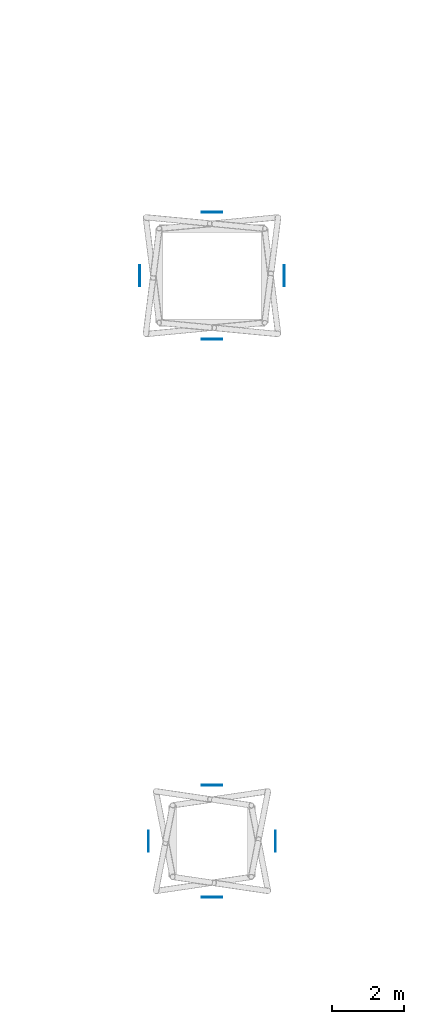
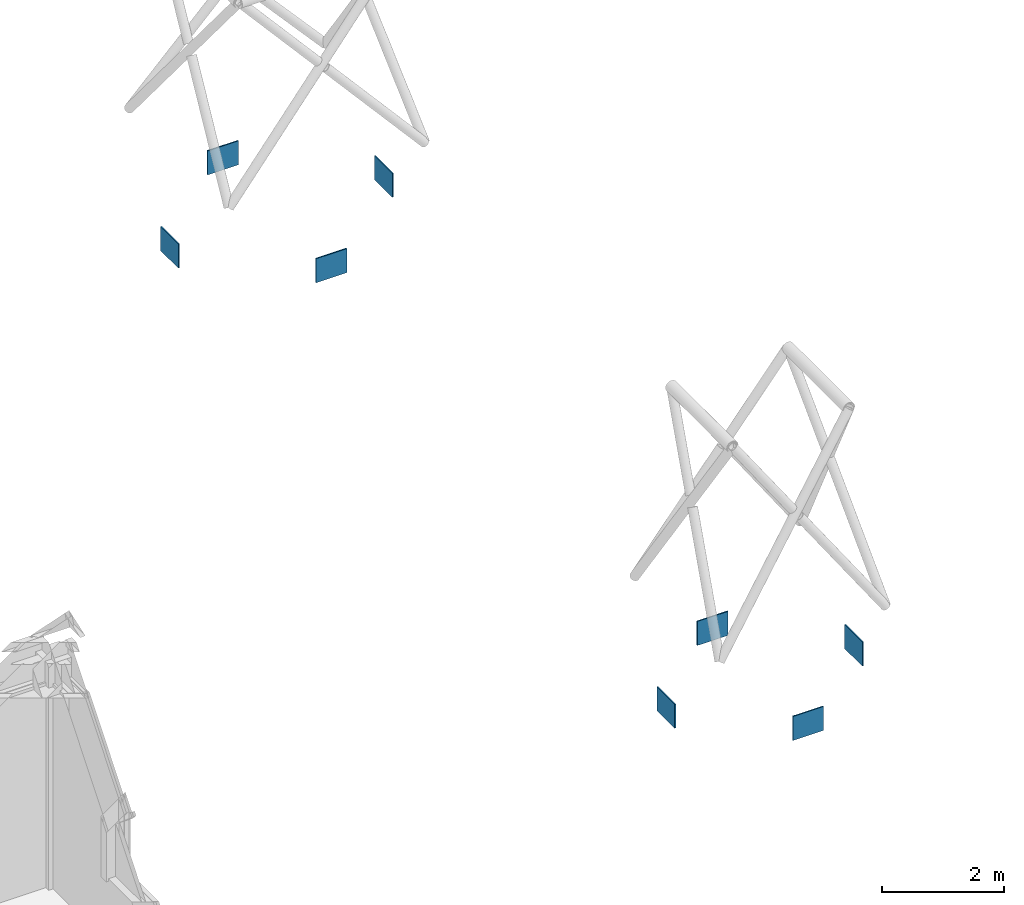
# One storey, part 100 of 143: 8 plates.
"""IFC4 building model written with IfcOpenShell, lengths in metres."""

from ifc_helpers import new_model, si_unit, direction, frame, origin, origin_2d, place, context, subcontext, project, spatial, rectangle, extrude, material, layer, layer_set, type_object, element, save


model = new_model("IFC4")

# Units and contexts
model_context = context("Model", 3, precision=1e-05, world=origin(), true_north=direction((0.0, 1.0)))
body_context = subcontext(model_context, "Body", "Model", "MODEL_VIEW")
ifc_project = project(units=[si_unit("LENGTHUNIT", "METRE"), si_unit("AREAUNIT", "SQUARE_METRE"), si_unit("VOLUMEUNIT", "CUBIC_METRE"), si_unit("PLANEANGLEUNIT", "RADIAN"), si_unit("MASSUNIT", "GRAM", prefix="KILO")], contexts=[model_context])

# Site, building, storey
site_placement = place(None, origin())
site = spatial("IfcSite", under=ifc_project, at=site_placement, CompositionType="ELEMENT")
building_placement = place(site_placement, origin())
building = spatial("IfcBuilding", under=site, at=building_placement, Name="Cumevento Cable Car Station", CompositionType="ELEMENT")
storey_placement = place(building_placement, frame((0.0, 0.0, 9.0)))
storey = spatial("IfcBuildingStorey", under=building, at=storey_placement, Name="L03", CompositionType="ELEMENT", Elevation=9.0)

# Plates
ifc_material = material(Name="Steel ASTM A572 Grade 50", Category="steel")
ifc_layer = layer(ifc_material, 0.02197265625)
ifc_layer_set = layer_set([ifc_layer], Name="Steel ASTM A572 Grade 50")
plate_type = type_object("IfcPlateType", Name="Steel Plate GP-02 580x22x480", PredefinedType="USERDEFINED", material=ifc_layer_set)
for number, where, z_axis, x_axis, name in (
    (1, (94.0, 21.225830078125, 0.683837890625), (0.0, 0.0, 1.0), (1.0, 0.0, 0.0), "X-Brace Crossing Node Gusset Plate #95"),
    (2, (96.02001953125, 23.0, 0.6767578125), (0.0, 0.0, 1.0), (0.0, 1.0, 0.0), "X-Brace Crossing Node Gusset Plate #96"),
    (3, (94.0, 24.774169921875, 0.683837890625), (0.0, 0.0, 1.0), (1.0, 0.0, 0.0), "X-Brace Crossing Node Gusset Plate #97"),
    (4, (91.97998046875, 23.0, 0.6767578125), (0.0, 0.0, 1.0), (0.0, 1.0, 0.0), "X-Brace Crossing Node Gusset Plate #98"),
    (5, (94.0, 5.6357421875, 0.998779296875), (0.0, 0.0, 1.0), (1.0, 0.0, 0.0), "X-Brace Crossing Node Gusset Plate #115"),
    (6, (95.771484375, 7.199951171875, 0.987060546875), (0.0, 0.0, 1.0), (0.0, 1.0, 0.0), "X-Brace Crossing Node Gusset Plate #116"),
    (7, (94.0, 8.764404296875, 0.998779296875), (0.0, 0.0, 1.0), (1.0, 0.0, 0.0), "X-Brace Crossing Node Gusset Plate #117"),
    (8, (92.228515625, 7.199951171875, 0.987060546875), (0.0, 0.0, 1.0), (0.0, 1.0, 0.0), "X-Brace Crossing Node Gusset Plate #118"),
):
    element("IfcPlate", number, at=place(storey_placement, frame(where, z_axis=z_axis, x_axis=x_axis)), inside=storey, type_object=plate_type, Name=name, ObjectType="GUSSET_PLATE", PredefinedType="USERDEFINED", context=body_context, shape_type="SweptSolid", body=[
        extrude(rectangle(XDim=0.580078125, YDim=0.02197265625, at=origin_2d()), origin(), (0.0, 0.0, 1.0), 0.47998046875),
    ])

save(model, "model.ifc")
